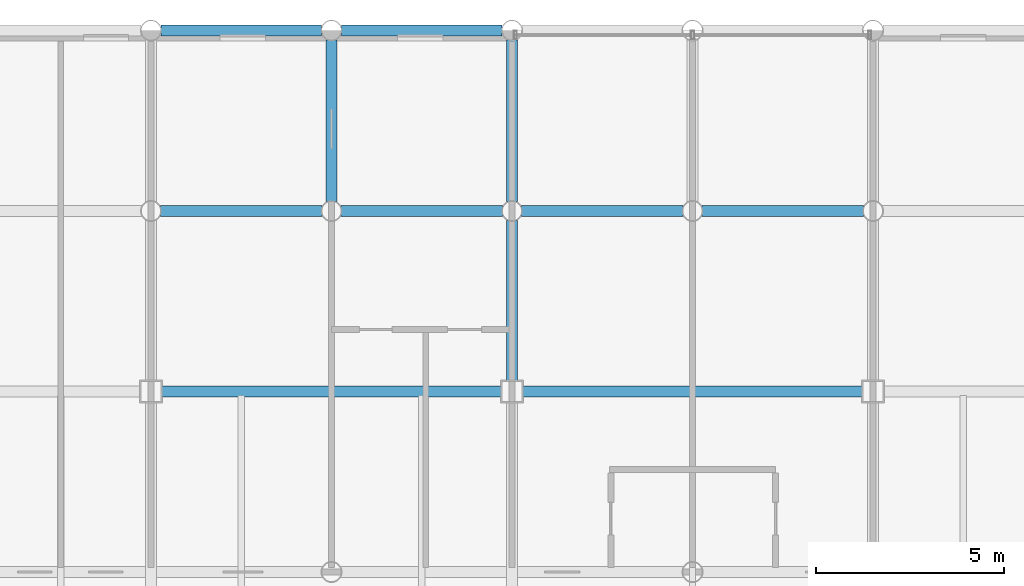
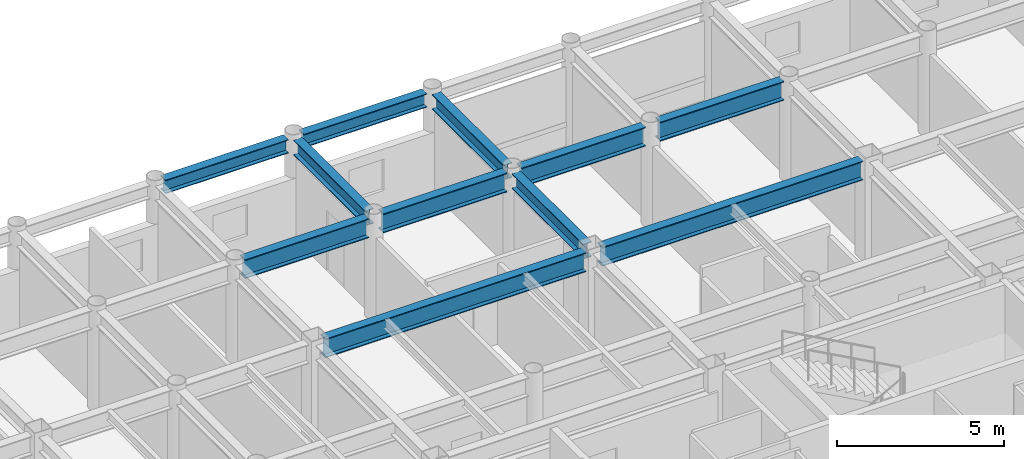
# One storey, part 13 of 24: 11 beams.
"""IFC4 building model written with IfcOpenShell, lengths in metres."""

from ifc_helpers import new_model, si_unit, direction, frame, origin, origin_2d, place, context, subcontext, project, spatial, i_section, extrude, material, material_profile, profile_set, type_object, element, save


model = new_model("IFC4")

# Units and contexts
model_context = context("Model", 3, precision=1e-05, world=origin(), true_north=direction((0.0, 1.0)))
body_context = subcontext(model_context, "Body", "Model", "MODEL_VIEW")
ifc_project = project(units=[si_unit("LENGTHUNIT", "METRE"), si_unit("AREAUNIT", "SQUARE_METRE"), si_unit("VOLUMEUNIT", "CUBIC_METRE"), si_unit("PLANEANGLEUNIT", "RADIAN"), si_unit("MASSUNIT", "GRAM", prefix="KILO")], contexts=[model_context])

# Site, building, storey
site_placement = place(None, origin())
site = spatial("IfcSite", under=ifc_project, at=site_placement, CompositionType="ELEMENT")
building_placement = place(site_placement, origin())
building = spatial("IfcBuilding", under=site, at=building_placement, Name="Kallvorn Hotel Tower", CompositionType="ELEMENT")
storey_placement = place(building_placement, frame((0.0, 0.0, 233.85009765625)))
storey = spatial("IfcBuildingStorey", under=building, at=storey_placement, Name="L58", CompositionType="ELEMENT", Elevation=233.85009765625)

# Beams
ifc_material_1 = material(Name="Structural steel S355JR", Category="steel")
ifc_material_profile_1 = material_profile(ifc_material_1, i_section(OverallWidth=0.300048828125, OverallDepth=0.5, WebThickness=0.014404296875, FlangeThickness=0.028076171875, at=origin_2d()), Name="HE 500 B")
ifc_profile_set_1 = profile_set([ifc_material_profile_1], Name="Structural steel S355JR")
beam_type_1 = type_object("IfcBeamType", Name="BM_HE500B", PredefinedType="SPANDREL", material=ifc_profile_set_1)
beam_1_placement = place(storey_placement, frame((-14.130615234375, 24.0, 3.419921875), z_axis=(1.0, 0.0, 0.0), x_axis=(0.0, 1.0, 0.0)))
element("IfcBeam", 1, at=beam_1_placement, inside=storey, type_object=beam_type_1, Name="L59 Perimeter Spandrel 165", PredefinedType="SPANDREL", context=body_context, shape_type="SweptSolid", body=[
    extrude(i_section(OverallWidth=0.300048828125, OverallDepth=0.5, WebThickness=0.014404296875, FlangeThickness=0.028076171875, at=origin_2d()), origin(), (0.0, 0.0, 1.0), 4.26123046875),
])
beam_2_placement = place(storey_placement, frame((-9.33056640625, 24.0, 3.419921875), z_axis=(1.0, 0.0, 0.0), x_axis=(0.0, 1.0, 0.0)))
element("IfcBeam", 2, at=beam_2_placement, inside=storey, type_object=beam_type_1, Name="L59 Perimeter Spandrel 166", PredefinedType="SPANDREL", context=body_context, shape_type="SweptSolid", body=[
    extrude(i_section(OverallWidth=0.300048828125, OverallDepth=0.5, WebThickness=0.014404296875, FlangeThickness=0.028076171875, at=origin_2d()), origin(), (0.0, 0.0, 1.0), 4.260986328125),
])
ifc_material_2 = material(Name="Structural steel S355JR", Category="steel")
ifc_material_profile_2 = material_profile(ifc_material_2, i_section(OverallWidth=0.300048828125, OverallDepth=0.550048828125, WebThickness=0.014892578125, FlangeThickness=0.029052734375, at=origin_2d()), Name="HE 550 B")
ifc_profile_set_2 = profile_set([ifc_material_profile_2], Name="Structural steel S355JR")
beam_type_2 = type_object("IfcBeamType", Name="BM_HE550B", PredefinedType="SPANDREL", material=ifc_profile_set_2)
beam_3_placement = place(storey_placement, frame((-9.60009765625, 19.45458984375, 3.39501953125), z_axis=(0.0, 1.0, 0.0), x_axis=(-1.0, 0.0, 0.0)))
element("IfcBeam", 3, at=beam_3_placement, inside=storey, type_object=beam_type_2, Name="L59 Primary Y-Girder 104", PredefinedType="SPANDREL", context=body_context, shape_type="SweptSolid", body=[
    extrude(i_section(OverallWidth=0.300048828125, OverallDepth=0.550048828125, WebThickness=0.014892578125, FlangeThickness=0.029052734375, at=origin_2d()), origin(), (0.0, 0.0, 1.0), 4.291015625),
])
beam_4_placement = place(storey_placement, frame((-4.800048828125, 14.675048828125, 3.39501953125), z_axis=(0.0, 1.0, 0.0), x_axis=(-1.0, 0.0, 0.0)))
element("IfcBeam", 4, at=beam_4_placement, inside=storey, type_object=beam_type_2, Name="L59 Primary Y-Girder 108", PredefinedType="SPANDREL", context=body_context, shape_type="SweptSolid", body=[
    extrude(i_section(OverallWidth=0.300048828125, OverallDepth=0.550048828125, WebThickness=0.014892578125, FlangeThickness=0.029052734375, at=origin_2d()), origin(), (0.0, 0.0, 1.0), 4.2705078125),
])
beam_5_placement = place(storey_placement, frame((-4.800048828125, 19.45458984375, 3.39501953125), z_axis=(0.0, 1.0, 0.0), x_axis=(-1.0, 0.0, 0.0)))
element("IfcBeam", 5, at=beam_5_placement, inside=storey, type_object=beam_type_2, Name="L59 Primary Y-Girder 109", PredefinedType="SPANDREL", context=body_context, shape_type="SweptSolid", body=[
    extrude(i_section(OverallWidth=0.300048828125, OverallDepth=0.550048828125, WebThickness=0.014892578125, FlangeThickness=0.029052734375, at=origin_2d()), origin(), (0.0, 0.0, 1.0), 4.291015625),
])
ifc_material_3 = material(Name="Structural steel S355JR", Category="steel")
ifc_material_profile_3 = material_profile(ifc_material_3, i_section(OverallWidth=0.300048828125, OverallDepth=0.699951171875, WebThickness=0.01708984375, FlangeThickness=0.031982421875, at=origin_2d()), Name="HE 700 B")
ifc_profile_set_3 = profile_set([ifc_material_profile_3], Name="Structural steel S355JR")
beam_type_3 = type_object("IfcBeamType", Name="BM_HE700B", PredefinedType="BEAM", material=ifc_profile_set_3)
beam_6_placement = place(storey_placement, frame((-14.125, 14.39990234375, 3.31982421875), z_axis=(1.0, 0.0, 0.0), x_axis=(0.0, 1.0, 0.0)))
element("IfcBeam", 6, at=beam_6_placement, inside=storey, type_object=beam_type_3, Name="L59 Primary X-Girder 53", PredefinedType="BEAM", context=body_context, shape_type="SweptSolid", body=[
    extrude(i_section(OverallWidth=0.300048828125, OverallDepth=0.699951171875, WebThickness=0.01708984375, FlangeThickness=0.031982421875, at=origin_2d()), origin(), (0.0, 0.0, 1.0), 9.050048828125),
])
beam_7_placement = place(storey_placement, frame((-4.52490234375, 14.39990234375, 3.31982421875), z_axis=(1.0, 0.0, 0.0), x_axis=(0.0, 1.0, 0.0)))
element("IfcBeam", 7, at=beam_7_placement, inside=storey, type_object=beam_type_3, Name="L59 Primary X-Girder 54", PredefinedType="BEAM", context=body_context, shape_type="SweptSolid", body=[
    extrude(i_section(OverallWidth=0.300048828125, OverallDepth=0.699951171875, WebThickness=0.01708984375, FlangeThickness=0.031982421875, at=origin_2d()), origin(), (0.0, 0.0, 1.0), 9.0498046875),
])
for number, where, z_axis, x_axis, name in (
    (8, (-14.1455078125, 19.199951171875, 3.31982421875), (1.0, 0.0, 0.0), (0.0, 1.0, 0.0), "L59 Primary X-Girder 63"),
    (9, (-9.345458984375, 19.199951171875, 3.31982421875), (1.0, 0.0, 0.0), (0.0, 1.0, 0.0), "L59 Primary X-Girder 64"),
    (10, (-4.54541015625, 19.199951171875, 3.31982421875), (1.0, 0.0, 0.0), (0.0, 1.0, 0.0), "L59 Primary X-Girder 65"),
    (11, (0.25439453125, 19.199951171875, 3.31982421875), (1.0, 0.0, 0.0), (0.0, 1.0, 0.0), "L59 Primary X-Girder 66"),
):
    element("IfcBeam", number, at=place(storey_placement, frame(where, z_axis=z_axis, x_axis=x_axis)), inside=storey, type_object=beam_type_3, Name=name, PredefinedType="BEAM", context=body_context, shape_type="SweptSolid", body=[
        extrude(i_section(OverallWidth=0.300048828125, OverallDepth=0.699951171875, WebThickness=0.01708984375, FlangeThickness=0.031982421875, at=origin_2d()), origin(), (0.0, 0.0, 1.0), 4.291015625),
    ])

save(model, "model.ifc")
